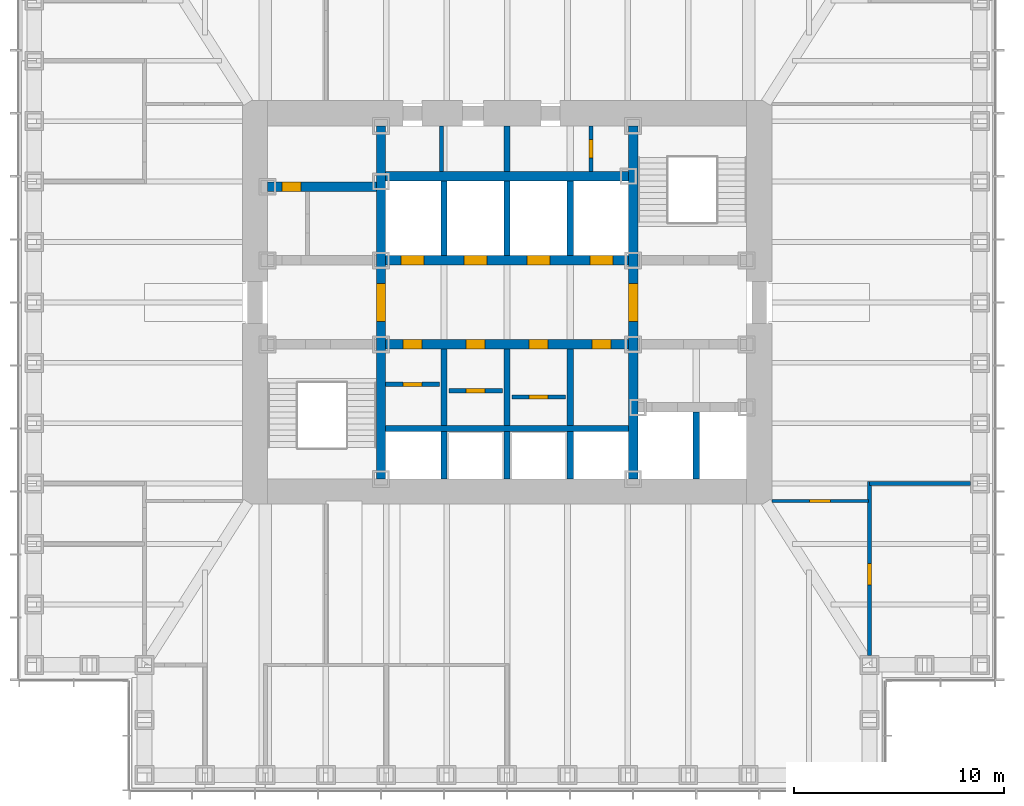
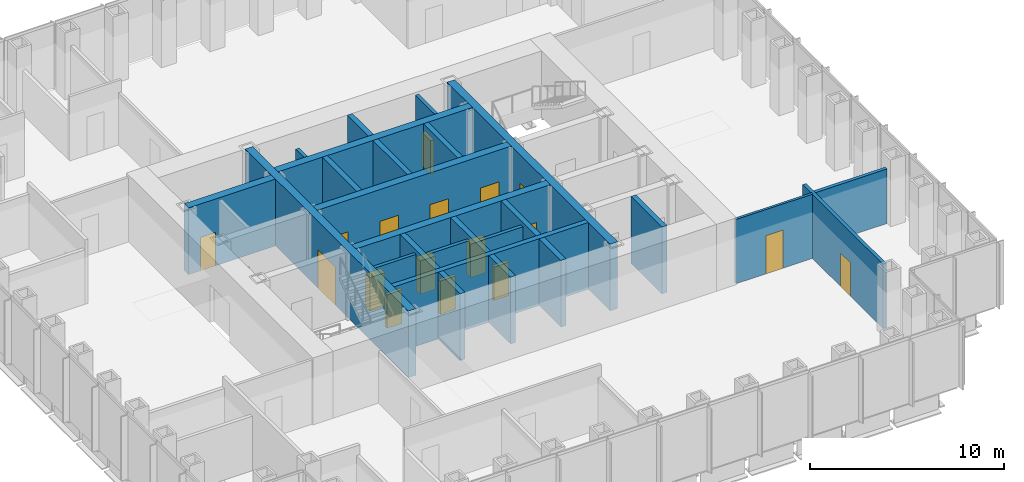
# One storey, part 9 of 17: 26 walls, 17 doors, 17 openings.
"""IFC4 building model written with IfcOpenShell, lengths in metres."""

from ifc_helpers import new_model, si_unit, direction, frame, frame_2d, origin, place, context, subcontext, project, spatial, rectangle, extrude, material, layer, layer_set, type_object, element, fill, save


model = new_model("IFC4")

# Units and contexts
model_context = context("Model", 3, precision=1e-05, world=origin(), true_north=direction((0.0, 1.0)))
body_context = subcontext(model_context, "Body", "Model", "MODEL_VIEW")
ifc_project = project(units=[si_unit("LENGTHUNIT", "METRE"), si_unit("AREAUNIT", "SQUARE_METRE"), si_unit("VOLUMEUNIT", "CUBIC_METRE"), si_unit("PLANEANGLEUNIT", "RADIAN"), si_unit("MASSUNIT", "GRAM", prefix="KILO")], contexts=[model_context])

# Site, building, storey
site_placement = place(None, origin())
site = spatial("IfcSite", under=ifc_project, at=site_placement, CompositionType="ELEMENT")
building_placement = place(site_placement, origin())
building = spatial("IfcBuilding", under=site, at=building_placement, Name="Daluyong Arena Tower", CompositionType="ELEMENT")
storey_placement = place(building_placement, frame((0.0, 0.0, 154.300048828125)))
storey = spatial("IfcBuildingStorey", under=building, at=storey_placement, Name="L34", CompositionType="ELEMENT", Elevation=154.300048828125)

# Wall, opening, door
ifc_material_1 = material(Name="Concrete fc' 45 MPa", Category="concrete")
ifc_layer_1 = layer(ifc_material_1, 0.449951171875)
ifc_layer_set_1 = layer_set([ifc_layer_1], Name="Concrete fc' 45 MPa")
wall_type_1 = type_object("IfcWallType", Name="Core inner wall 450", PredefinedType="SHEAR", material=ifc_layer_set_1)
wall_1_placement = place(storey_placement, frame((50.0, 71.60009765625, 0.0), z_axis=(0.0, 0.0, 1.0), x_axis=(0.0, 1.0, 0.0)))
wall_1 = element("IfcWall", 1, at=wall_1_placement, inside=storey, type_object=wall_type_1, Name="core inner wall at L34", PredefinedType="SHEAR", context=body_context, shape_type="SweptSolid", body=[
    extrude(rectangle(XDim=16.7998046875, YDim=0.449951171875, at=frame_2d((8.39990234375, 0.0))), origin(), (0.0, 0.0, 1.0), 4.199951171875),
])
opening_1_placement = place(wall_1_placement, frame((7.5, 0.0, 0.0)))
opening_1 = element("IfcOpeningElement", 2, at=opening_1_placement, cuts=wall_1, Name="Opening 34019", PredefinedType="OPENING", context=body_context, shape_type="SweptSolid", body=[
    extrude(rectangle(XDim=1.800048828125, YDim=2.39990234375, at=frame_2d((0.89990234375, 1.199951171875))), frame((0.0, 0.23486328125, 0.0), z_axis=(0.0, -1.0, 0.0), x_axis=(1.0, 0.0, 0.0)), (0.0, 0.0, 1.0), 0.469970703125),
])
ifc_material_2 = material(Name="Steel door, fire rated", Category="steel")
door_type_1 = type_object("IfcDoorType", Name="Lift lobby opening door 1800", OperationType="DOUBLE_DOOR_SINGLE_SWING", PredefinedType="DOOR", material=ifc_material_2)
door_1_placement = place(opening_1_placement, origin())
door_1 = element("IfcDoor", 3, at=door_1_placement, inside=storey, type_object=door_type_1, Name="lift lobby door west 34019", OperationType="DOUBLE_DOOR_SINGLE_SWING", OverallHeight=2.39990234375, OverallWidth=1.800048828125, PredefinedType="DOOR", context=body_context, shape_type="SweptSolid", body=[
    extrude(rectangle(XDim=1.800048828125, YDim=2.39990234375, at=frame_2d((0.89990234375, 1.199951171875))), frame((0.0, 0.224609375, 0.0), z_axis=(0.0, -1.0, 0.0), x_axis=(1.0, 0.0, 0.0)), (0.0, 0.0, 1.0), 0.449462890625),
])
fill(opening_1, door_1)

wall_2_placement = place(storey_placement, frame((62.0, 71.60009765625, 0.0), z_axis=(0.0, 0.0, 1.0), x_axis=(0.0, 1.0, 0.0)))
wall_2 = element("IfcWall", 4, at=wall_2_placement, inside=storey, type_object=wall_type_1, Name="core inner wall at L34", PredefinedType="SHEAR", context=body_context, shape_type="SweptSolid", body=[
    extrude(rectangle(XDim=16.7998046875, YDim=0.449951171875, at=frame_2d((8.39990234375, 0.0))), origin(), (0.0, 0.0, 1.0), 4.199951171875),
])
opening_2_placement = place(wall_2_placement, frame((7.5, 0.0, 0.0)))
opening_2 = element("IfcOpeningElement", 5, at=opening_2_placement, cuts=wall_2, Name="Opening 34020", PredefinedType="OPENING", context=body_context, shape_type="SweptSolid", body=[
    extrude(rectangle(XDim=1.800048828125, YDim=2.39990234375, at=frame_2d((0.89990234375, 1.199951171875))), frame((0.0, 0.23486328125, 0.0), z_axis=(0.0, -1.0, 0.0), x_axis=(1.0, 0.0, 0.0)), (0.0, 0.0, 1.0), 0.469970703125),
])
door_2_placement = place(opening_2_placement, origin())
door_2 = element("IfcDoor", 6, at=door_2_placement, inside=storey, type_object=door_type_1, Name="lift lobby door east 34020", OperationType="DOUBLE_DOOR_SINGLE_SWING", OverallHeight=2.39990234375, OverallWidth=1.800048828125, PredefinedType="DOOR", context=body_context, shape_type="SweptSolid", body=[
    extrude(rectangle(XDim=1.800048828125, YDim=2.39990234375, at=frame_2d((0.89990234375, 1.199951171875))), frame((0.0, 0.224609375, 0.0), z_axis=(0.0, -1.0, 0.0), x_axis=(1.0, 0.0, 0.0)), (0.0, 0.0, 1.0), 0.449462890625),
])
fill(opening_2, door_2)

wall_3_placement = place(storey_placement, frame((44.60009765625, 85.5, 0.0), z_axis=(0.0, 0.0, 1.0), x_axis=(1.0, 0.0, 0.0)))
wall_3 = element("IfcWall", 7, at=wall_3_placement, inside=storey, type_object=wall_type_1, Name="core inner wall at L34", PredefinedType="SHEAR", context=body_context, shape_type="SweptSolid", body=[
    extrude(rectangle(XDim=5.1748046875, YDim=0.449951171875, at=frame_2d((2.58740234375, 0.0))), origin(), (0.0, 0.0, 1.0), 4.199951171875),
])
opening_3_placement = place(wall_3_placement, frame((0.699951171875, 0.0, 0.0)))
opening_3 = element("IfcOpeningElement", 8, at=opening_3_placement, cuts=wall_3, Name="Opening 34003", PredefinedType="OPENING", context=body_context, shape_type="SweptSolid", body=[
    extrude(rectangle(XDim=0.89990234375, YDim=2.10009765625, at=frame_2d((0.449951171875, 1.050048828125))), frame((0.0, 0.23486328125, 0.0), z_axis=(0.0, -1.0, 0.0), x_axis=(1.0, 0.0, 0.0)), (0.0, 0.0, 1.0), 0.469970703125),
])
ifc_material_3 = material(Name="Timber door", Category="wood")
door_type_2 = type_object("IfcDoorType", Name="Toilet door 900", OperationType="SINGLE_SWING_RIGHT", PredefinedType="DOOR", material=ifc_material_3)
door_3_placement = place(opening_3_placement, origin())
door_3 = element("IfcDoor", 9, at=door_3_placement, inside=storey, type_object=door_type_2, Name="female toilet door 34003", OperationType="SINGLE_SWING_RIGHT", OverallHeight=2.10009765625, OverallWidth=0.89990234375, PredefinedType="DOOR", context=body_context, shape_type="SweptSolid", body=[
    extrude(rectangle(XDim=0.89990234375, YDim=2.10009765625, at=frame_2d((0.449951171875, 1.050048828125))), frame((0.0, 0.224609375, 0.0), z_axis=(0.0, -1.0, 0.0), x_axis=(1.0, 0.0, 0.0)), (0.0, 0.0, 1.0), 0.449462890625),
])
fill(opening_3, door_3)

# Wall, openings, doors
wall_4_placement = place(storey_placement, frame((50.22509765625, 78.0, 0.0), z_axis=(0.0, 0.0, 1.0), x_axis=(1.0, 0.0, 0.0)))
wall_4 = element("IfcWall", 10, at=wall_4_placement, inside=storey, type_object=wall_type_1, Name="core inner wall at L34", PredefinedType="SHEAR", context=body_context, shape_type="SweptSolid", body=[
    extrude(rectangle(XDim=11.5498046875, YDim=0.449951171875, at=frame_2d((5.77490234375, 0.0))), origin(), (0.0, 0.0, 1.0), 4.199951171875),
])
opening_4_placement = place(wall_4_placement, frame((0.824951171875, 0.0, 0.0)))
opening_4 = element("IfcOpeningElement", 11, at=opening_4_placement, cuts=wall_4, Name="Opening 34008", PredefinedType="OPENING", context=body_context, shape_type="SweptSolid", body=[
    extrude(rectangle(XDim=0.89990234375, YDim=2.10009765625, at=frame_2d((0.449951171875, 1.050048828125))), frame((0.0, 0.23486328125, 0.0), z_axis=(0.0, -1.0, 0.0), x_axis=(1.0, 0.0, 0.0)), (0.0, 0.0, 1.0), 0.469970703125),
])
opening_5_placement = place(wall_4_placement, frame((3.824951171875, 0.0, 0.0)))
opening_5 = element("IfcOpeningElement", 12, at=opening_5_placement, cuts=wall_4, Name="Opening 34010", PredefinedType="OPENING", context=body_context, shape_type="SweptSolid", body=[
    extrude(rectangle(XDim=0.89990234375, YDim=2.10009765625, at=frame_2d((0.449951171875, 1.050048828125))), frame((0.0, 0.23486328125, 0.0), z_axis=(0.0, -1.0, 0.0), x_axis=(1.0, 0.0, 0.0)), (0.0, 0.0, 1.0), 0.469970703125),
])
opening_6_placement = place(wall_4_placement, frame((6.824951171875, 0.0, 0.0)))
opening_6 = element("IfcOpeningElement", 13, at=opening_6_placement, cuts=wall_4, Name="Opening 34012", PredefinedType="OPENING", context=body_context, shape_type="SweptSolid", body=[
    extrude(rectangle(XDim=0.89990234375, YDim=2.10009765625, at=frame_2d((0.449951171875, 1.050048828125))), frame((0.0, 0.23486328125, 0.0), z_axis=(0.0, -1.0, 0.0), x_axis=(1.0, 0.0, 0.0)), (0.0, 0.0, 1.0), 0.469970703125),
])
opening_7_placement = place(wall_4_placement, frame((9.824951171875, 0.0, 0.0)))
opening_7 = element("IfcOpeningElement", 14, at=opening_7_placement, cuts=wall_4, Name="Opening 34014", PredefinedType="OPENING", context=body_context, shape_type="SweptSolid", body=[
    extrude(rectangle(XDim=0.89990234375, YDim=2.10009765625, at=frame_2d((0.449951171875, 1.050048828125))), frame((0.0, 0.23486328125, 0.0), z_axis=(0.0, -1.0, 0.0), x_axis=(1.0, 0.0, 0.0)), (0.0, 0.0, 1.0), 0.469970703125),
])
ifc_material_4 = material(Name="Steel door, fire rated", Category="steel")
door_type_3 = type_object("IfcDoorType", Name="Core room door 900", OperationType="SINGLE_SWING_LEFT", PredefinedType="DOOR", material=ifc_material_4)
door_4_placement = place(opening_7_placement, origin())
door_4 = element("IfcDoor", 15, at=door_4_placement, inside=storey, type_object=door_type_3, Name="staff pantry door 34014", OperationType="SINGLE_SWING_LEFT", OverallHeight=2.10009765625, OverallWidth=0.89990234375, PredefinedType="DOOR", context=body_context, shape_type="SweptSolid", body=[
    extrude(rectangle(XDim=0.89990234375, YDim=2.10009765625, at=frame_2d((0.449951171875, 1.050048828125))), frame((0.0, 0.224609375, 0.0), z_axis=(0.0, -1.0, 0.0), x_axis=(1.0, 0.0, 0.0)), (0.0, 0.0, 1.0), 0.449462890625),
])
fill(opening_7, door_4)
ifc_material_5 = material(Name="Steel door, fire rated", Category="steel")
door_type_4 = type_object("IfcDoorType", Name="Core store door 900", OperationType="SINGLE_SWING_LEFT", PredefinedType="DOOR", material=ifc_material_5)
door_5_placement = place(opening_4_placement, origin())
door_5 = element("IfcDoor", 16, at=door_5_placement, inside=storey, type_object=door_type_4, Name="cleaner's store door 34008", OperationType="SINGLE_SWING_LEFT", OverallHeight=2.10009765625, OverallWidth=0.89990234375, PredefinedType="DOOR", context=body_context, shape_type="SweptSolid", body=[
    extrude(rectangle(XDim=0.89990234375, YDim=2.10009765625, at=frame_2d((0.449951171875, 1.050048828125))), frame((0.0, 0.224609375, 0.0), z_axis=(0.0, -1.0, 0.0), x_axis=(1.0, 0.0, 0.0)), (0.0, 0.0, 1.0), 0.449462890625),
])
fill(opening_4, door_5)
door_6_placement = place(opening_5_placement, origin())
door_6 = element("IfcDoor", 17, at=door_6_placement, inside=storey, type_object=door_type_4, Name="stationery store door 34010", OperationType="SINGLE_SWING_LEFT", OverallHeight=2.10009765625, OverallWidth=0.89990234375, PredefinedType="DOOR", context=body_context, shape_type="SweptSolid", body=[
    extrude(rectangle(XDim=0.89990234375, YDim=2.10009765625, at=frame_2d((0.449951171875, 1.050048828125))), frame((0.0, 0.224609375, 0.0), z_axis=(0.0, -1.0, 0.0), x_axis=(1.0, 0.0, 0.0)), (0.0, 0.0, 1.0), 0.449462890625),
])
fill(opening_5, door_6)
door_7_placement = place(opening_6_placement, origin())
door_7 = element("IfcDoor", 18, at=door_7_placement, inside=storey, type_object=door_type_4, Name="security store door 34012", OperationType="SINGLE_SWING_LEFT", OverallHeight=2.10009765625, OverallWidth=0.89990234375, PredefinedType="DOOR", context=body_context, shape_type="SweptSolid", body=[
    extrude(rectangle(XDim=0.89990234375, YDim=2.10009765625, at=frame_2d((0.449951171875, 1.050048828125))), frame((0.0, 0.224609375, 0.0), z_axis=(0.0, -1.0, 0.0), x_axis=(1.0, 0.0, 0.0)), (0.0, 0.0, 1.0), 0.449462890625),
])
fill(opening_6, door_7)

wall_5_placement = place(storey_placement, frame((50.22509765625, 82.0, 0.0), z_axis=(0.0, 0.0, 1.0), x_axis=(1.0, 0.0, 0.0)))
wall_5 = element("IfcWall", 19, at=wall_5_placement, inside=storey, type_object=wall_type_1, Name="core inner wall at L34", PredefinedType="SHEAR", context=body_context, shape_type="SweptSolid", body=[
    extrude(rectangle(XDim=11.5498046875, YDim=0.449951171875, at=frame_2d((5.77490234375, 0.0))), origin(), (0.0, 0.0, 1.0), 4.199951171875),
])
opening_8_placement = place(wall_5_placement, frame((0.72509765625, 0.0, 0.0)))
opening_8 = element("IfcOpeningElement", 20, at=opening_8_placement, cuts=wall_5, Name="Opening 34022", PredefinedType="OPENING", context=body_context, shape_type="SweptSolid", body=[
    extrude(rectangle(XDim=1.10009765625, YDim=2.199951171875, at=frame_2d((0.550048828125, 1.10009765625))), frame((0.0, 0.23486328125, 0.0), z_axis=(0.0, -1.0, 0.0), x_axis=(1.0, 0.0, 0.0)), (0.0, 0.0, 1.0), 0.469970703125),
])
opening_9_placement = place(wall_5_placement, frame((3.72509765625, 0.0, 0.0)))
opening_9 = element("IfcOpeningElement", 21, at=opening_9_placement, cuts=wall_5, Name="Opening 34023", PredefinedType="OPENING", context=body_context, shape_type="SweptSolid", body=[
    extrude(rectangle(XDim=1.10009765625, YDim=2.199951171875, at=frame_2d((0.550048828125, 1.10009765625))), frame((0.0, 0.23486328125, 0.0), z_axis=(0.0, -1.0, 0.0), x_axis=(1.0, 0.0, 0.0)), (0.0, 0.0, 1.0), 0.469970703125),
])
opening_10_placement = place(wall_5_placement, frame((6.72509765625, 0.0, 0.0)))
opening_10 = element("IfcOpeningElement", 22, at=opening_10_placement, cuts=wall_5, Name="Opening 34024", PredefinedType="OPENING", context=body_context, shape_type="SweptSolid", body=[
    extrude(rectangle(XDim=1.10009765625, YDim=2.199951171875, at=frame_2d((0.550048828125, 1.10009765625))), frame((0.0, 0.23486328125, 0.0), z_axis=(0.0, -1.0, 0.0), x_axis=(1.0, 0.0, 0.0)), (0.0, 0.0, 1.0), 0.469970703125),
])
opening_11_placement = place(wall_5_placement, frame((9.72509765625, 0.0, 0.0)))
opening_11 = element("IfcOpeningElement", 23, at=opening_11_placement, cuts=wall_5, Name="Opening 34025", PredefinedType="OPENING", context=body_context, shape_type="SweptSolid", body=[
    extrude(rectangle(XDim=1.10009765625, YDim=2.199951171875, at=frame_2d((0.550048828125, 1.10009765625))), frame((0.0, 0.23486328125, 0.0), z_axis=(0.0, -1.0, 0.0), x_axis=(1.0, 0.0, 0.0)), (0.0, 0.0, 1.0), 0.469970703125),
])
ifc_material_6 = material(Name="Steel door, fire rated", Category="steel")
door_type_5 = type_object("IfcDoorType", Name="Lift landing door 1100", OperationType="SLIDING_TO_LEFT", PredefinedType="DOOR", material=ifc_material_6)
door_8_placement = place(opening_8_placement, origin())
door_8 = element("IfcDoor", 24, at=door_8_placement, inside=storey, type_object=door_type_5, Name="lift landing door B1 34022", OperationType="SLIDING_TO_LEFT", OverallHeight=2.199951171875, OverallWidth=1.10009765625, PredefinedType="DOOR", context=body_context, shape_type="SweptSolid", body=[
    extrude(rectangle(XDim=1.10009765625, YDim=2.199951171875, at=frame_2d((0.550048828125, 1.10009765625))), frame((0.0, 0.224609375, 0.0), z_axis=(0.0, -1.0, 0.0), x_axis=(1.0, 0.0, 0.0)), (0.0, 0.0, 1.0), 0.449462890625),
])
fill(opening_8, door_8)
door_9_placement = place(opening_9_placement, origin())
door_9 = element("IfcDoor", 25, at=door_9_placement, inside=storey, type_object=door_type_5, Name="lift landing door B2 34023", OperationType="SLIDING_TO_LEFT", OverallHeight=2.199951171875, OverallWidth=1.10009765625, PredefinedType="DOOR", context=body_context, shape_type="SweptSolid", body=[
    extrude(rectangle(XDim=1.10009765625, YDim=2.199951171875, at=frame_2d((0.550048828125, 1.10009765625))), frame((0.0, 0.224609375, 0.0), z_axis=(0.0, -1.0, 0.0), x_axis=(1.0, 0.0, 0.0)), (0.0, 0.0, 1.0), 0.449462890625),
])
fill(opening_9, door_9)
door_10_placement = place(opening_10_placement, origin())
door_10 = element("IfcDoor", 26, at=door_10_placement, inside=storey, type_object=door_type_5, Name="lift landing door B3 34024", OperationType="SLIDING_TO_LEFT", OverallHeight=2.199951171875, OverallWidth=1.10009765625, PredefinedType="DOOR", context=body_context, shape_type="SweptSolid", body=[
    extrude(rectangle(XDim=1.10009765625, YDim=2.199951171875, at=frame_2d((0.550048828125, 1.10009765625))), frame((0.0, 0.224609375, 0.0), z_axis=(0.0, -1.0, 0.0), x_axis=(1.0, 0.0, 0.0)), (0.0, 0.0, 1.0), 0.449462890625),
])
fill(opening_10, door_10)
door_11_placement = place(opening_11_placement, origin())
door_11 = element("IfcDoor", 27, at=door_11_placement, inside=storey, type_object=door_type_5, Name="lift landing door B4 34025", OperationType="SLIDING_TO_LEFT", OverallHeight=2.199951171875, OverallWidth=1.10009765625, PredefinedType="DOOR", context=body_context, shape_type="SweptSolid", body=[
    extrude(rectangle(XDim=1.10009765625, YDim=2.199951171875, at=frame_2d((0.550048828125, 1.10009765625))), frame((0.0, 0.224609375, 0.0), z_axis=(0.0, -1.0, 0.0), x_axis=(1.0, 0.0, 0.0)), (0.0, 0.0, 1.0), 0.449462890625),
])
fill(opening_11, door_11)

# Walls
wall_6_placement = place(storey_placement, frame((50.22509765625, 86.0, 0.0), z_axis=(0.0, 0.0, 1.0), x_axis=(1.0, 0.0, 0.0)))
element("IfcWall", 28, at=wall_6_placement, inside=storey, type_object=wall_type_1, Name="core inner wall at L34", PredefinedType="SHEAR", context=body_context, shape_type="SweptSolid", body=[
    extrude(rectangle(XDim=11.5498046875, YDim=0.449951171875, at=frame_2d((5.77490234375, 0.0))), origin(), (0.0, 0.0, 1.0), 4.199951171875),
])
ifc_material_7 = material(Name="Concrete block partition, fire rated", Category="concrete")
ifc_layer_2 = layer(ifc_material_7, 0.199951171875)
ifc_layer_set_2 = layer_set([ifc_layer_2], Name="Concrete block partition, fire rated")
wall_type_2 = type_object("IfcWallType", Name="Fire-rated partition 200", PredefinedType="PARTITIONING", material=ifc_layer_set_2)
wall_7_placement = place(storey_placement, frame((52.875, 86.22509765625, 0.0), z_axis=(0.0, 0.0, 1.0), x_axis=(0.0, 1.0, 0.0)))
element("IfcWall", 29, at=wall_7_placement, inside=storey, type_object=wall_type_2, Name="core room partition at L34", PredefinedType="PARTITIONING", context=body_context, shape_type="SweptSolid", body=[
    extrude(rectangle(XDim=2.1748046875, YDim=0.199951171875, at=frame_2d((1.08740234375, 0.0))), origin(), (0.0, 0.0, 1.0), 3.139892578125),
])

# Wall, opening, door
wall_8_placement = place(storey_placement, frame((60.0, 86.22509765625, 0.0), z_axis=(0.0, 0.0, 1.0), x_axis=(0.0, 1.0, 0.0)))
wall_8 = element("IfcWall", 30, at=wall_8_placement, inside=storey, type_object=wall_type_2, Name="electrical riser enclosure at L34", PredefinedType="PARTITIONING", context=body_context, shape_type="SweptSolid", body=[
    extrude(rectangle(XDim=2.1748046875, YDim=0.199951171875, at=frame_2d((1.08740234375, 0.0))), origin(), (0.0, 0.0, 1.0), 4.0400390625),
])
opening_12_placement = place(wall_8_placement, frame((0.637451171875, 0.0, 0.0)))
opening_12 = element("IfcOpeningElement", 31, at=opening_12_placement, cuts=wall_8, Name="Opening 34007", PredefinedType="OPENING", context=body_context, shape_type="SweptSolid", body=[
    extrude(rectangle(XDim=0.89990234375, YDim=2.10009765625, at=frame_2d((0.449951171875, 1.050048828125))), frame((0.0, 0.10986328125, 0.0), z_axis=(0.0, -1.0, 0.0), x_axis=(1.0, 0.0, 0.0)), (0.0, 0.0, 1.0), 0.219970703125),
])
ifc_material_8 = material(Name="Steel door, fire rated", Category="steel")
door_type_6 = type_object("IfcDoorType", Name="Riser door 900", OperationType="SINGLE_SWING_LEFT", PredefinedType="DOOR", material=ifc_material_8)
door_12_placement = place(opening_12_placement, origin())
door_12 = element("IfcDoor", 32, at=door_12_placement, inside=storey, type_object=door_type_6, Name="riser door 34007", OperationType="SINGLE_SWING_LEFT", OverallHeight=2.10009765625, OverallWidth=0.89990234375, PredefinedType="DOOR", context=body_context, shape_type="SweptSolid", body=[
    extrude(rectangle(XDim=0.89990234375, YDim=2.10009765625, at=frame_2d((0.449951171875, 1.050048828125))), frame((0.0, 0.099609375, 0.0), z_axis=(0.0, -1.0, 0.0), x_axis=(1.0, 0.0, 0.0)), (0.0, 0.0, 1.0), 0.199462890625),
])
fill(opening_12, door_12)

wall_9_placement = place(storey_placement, frame((50.22509765625, 76.10009765625, 0.0), z_axis=(0.0, 0.0, 1.0), x_axis=(1.0, 0.0, 0.0)))
wall_9 = element("IfcWall", 33, at=wall_9_placement, inside=storey, type_object=wall_type_2, Name="back store partition at L34", PredefinedType="PARTITIONING", context=body_context, shape_type="SweptSolid", body=[
    extrude(rectangle(XDim=2.5498046875, YDim=0.199951171875, at=frame_2d((1.27490234375, 0.0))), origin(), (0.0, 0.0, 1.0), 4.0400390625),
])
opening_13_placement = place(wall_9_placement, frame((0.824951171875, 0.0, 0.0)))
opening_13 = element("IfcOpeningElement", 34, at=opening_13_placement, cuts=wall_9, Name="Opening 34009", PredefinedType="OPENING", context=body_context, shape_type="SweptSolid", body=[
    extrude(rectangle(XDim=0.89990234375, YDim=2.10009765625, at=frame_2d((0.449951171875, 1.050048828125))), frame((0.0, 0.10986328125, 0.0), z_axis=(0.0, -1.0, 0.0), x_axis=(1.0, 0.0, 0.0)), (0.0, 0.0, 1.0), 0.219970703125),
])
door_13_placement = place(opening_13_placement, origin())
door_13 = element("IfcDoor", 35, at=door_13_placement, inside=storey, type_object=door_type_4, Name="furniture store door 34009", OperationType="SINGLE_SWING_LEFT", OverallHeight=2.10009765625, OverallWidth=0.89990234375, PredefinedType="DOOR", context=body_context, shape_type="SweptSolid", body=[
    extrude(rectangle(XDim=0.89990234375, YDim=2.10009765625, at=frame_2d((0.449951171875, 1.050048828125))), frame((0.0, 0.099609375, 0.0), z_axis=(0.0, -1.0, 0.0), x_axis=(1.0, 0.0, 0.0)), (0.0, 0.0, 1.0), 0.199462890625),
])
fill(opening_13, door_13)

wall_10_placement = place(storey_placement, frame((53.22509765625, 75.800048828125, 0.0), z_axis=(0.0, 0.0, 1.0), x_axis=(1.0, 0.0, 0.0)))
wall_10 = element("IfcWall", 36, at=wall_10_placement, inside=storey, type_object=wall_type_2, Name="back store partition at L34", PredefinedType="PARTITIONING", context=body_context, shape_type="SweptSolid", body=[
    extrude(rectangle(XDim=2.5498046875, YDim=0.199951171875, at=frame_2d((1.27490234375, 0.0))), origin(), (0.0, 0.0, 1.0), 4.0400390625),
])
opening_14_placement = place(wall_10_placement, frame((0.824951171875, 0.0, 0.0)))
opening_14 = element("IfcOpeningElement", 37, at=opening_14_placement, cuts=wall_10, Name="Opening 34011", PredefinedType="OPENING", context=body_context, shape_type="SweptSolid", body=[
    extrude(rectangle(XDim=0.89990234375, YDim=2.10009765625, at=frame_2d((0.449951171875, 1.050048828125))), frame((0.0, 0.10986328125, 0.0), z_axis=(0.0, -1.0, 0.0), x_axis=(1.0, 0.0, 0.0)), (0.0, 0.0, 1.0), 0.219970703125),
])
door_14_placement = place(opening_14_placement, origin())
door_14 = element("IfcDoor", 38, at=door_14_placement, inside=storey, type_object=door_type_4, Name="facilities store door 34011", OperationType="SINGLE_SWING_LEFT", OverallHeight=2.10009765625, OverallWidth=0.89990234375, PredefinedType="DOOR", context=body_context, shape_type="SweptSolid", body=[
    extrude(rectangle(XDim=0.89990234375, YDim=2.10009765625, at=frame_2d((0.449951171875, 1.050048828125))), frame((0.0, 0.099609375, 0.0), z_axis=(0.0, -1.0, 0.0), x_axis=(1.0, 0.0, 0.0)), (0.0, 0.0, 1.0), 0.199462890625),
])
fill(opening_14, door_14)

wall_11_placement = place(storey_placement, frame((56.22509765625, 75.5, 0.0), z_axis=(0.0, 0.0, 1.0), x_axis=(1.0, 0.0, 0.0)))
wall_11 = element("IfcWall", 39, at=wall_11_placement, inside=storey, type_object=wall_type_2, Name="back store partition at L34", PredefinedType="PARTITIONING", context=body_context, shape_type="SweptSolid", body=[
    extrude(rectangle(XDim=2.5498046875, YDim=0.199951171875, at=frame_2d((1.27490234375, 0.0))), origin(), (0.0, 0.0, 1.0), 4.0400390625),
])
opening_15_placement = place(wall_11_placement, frame((0.824951171875, 0.0, 0.0)))
opening_15 = element("IfcOpeningElement", 40, at=opening_15_placement, cuts=wall_11, Name="Opening 34013", PredefinedType="OPENING", context=body_context, shape_type="SweptSolid", body=[
    extrude(rectangle(XDim=0.89990234375, YDim=2.10009765625, at=frame_2d((0.449951171875, 1.050048828125))), frame((0.0, 0.10986328125, 0.0), z_axis=(0.0, -1.0, 0.0), x_axis=(1.0, 0.0, 0.0)), (0.0, 0.0, 1.0), 0.219970703125),
])
door_15_placement = place(opening_15_placement, origin())
door_15 = element("IfcDoor", 41, at=door_15_placement, inside=storey, type_object=door_type_4, Name="archive store door 34013", OperationType="SINGLE_SWING_LEFT", OverallHeight=2.10009765625, OverallWidth=0.89990234375, PredefinedType="DOOR", context=body_context, shape_type="SweptSolid", body=[
    extrude(rectangle(XDim=0.89990234375, YDim=2.10009765625, at=frame_2d((0.449951171875, 1.050048828125))), frame((0.0, 0.099609375, 0.0), z_axis=(0.0, -1.0, 0.0), x_axis=(1.0, 0.0, 0.0)), (0.0, 0.0, 1.0), 0.199462890625),
])
fill(opening_15, door_15)

ifc_material_9 = material(Name="Glazed aluminium partition", Category="aluminium")
ifc_layer_3 = layer(ifc_material_9, 0.14990234375)
ifc_layer_set_3 = layer_set([ifc_layer_3], Name="Glazed aluminium partition")
wall_type_3 = type_object("IfcWallType", Name="Glazed partition 150", PredefinedType="PARTITIONING", material=ifc_layer_set_3)
wall_12_placement = place(storey_placement, frame((68.60009765625, 70.550048828125, 0.0), z_axis=(0.0, 0.0, 1.0), x_axis=(1.0, 0.0, 0.0)))
wall_12 = element("IfcWall", 42, at=wall_12_placement, inside=storey, type_object=wall_type_3, Name="glazed partition at L34", PredefinedType="PARTITIONING", context=body_context, shape_type="SweptSolid", body=[
    extrude(rectangle(XDim=4.599853515625, YDim=0.14990234375, at=frame_2d((2.2998046875, 0.0))), origin(), (0.0, 0.0, 1.0), 4.0400390625),
])
opening_16_placement = place(wall_12_placement, frame((1.800048828125, 0.0, 0.0)))
opening_16 = element("IfcOpeningElement", 43, at=opening_16_placement, cuts=wall_12, Name="Opening 34043", PredefinedType="OPENING", context=body_context, shape_type="SweptSolid", body=[
    extrude(rectangle(XDim=1.0, YDim=2.39990234375, at=frame_2d((0.5, 1.199951171875))), frame((0.0, 0.0849609375, 0.0), z_axis=(0.0, -1.0, 0.0), x_axis=(1.0, 0.0, 0.0)), (0.0, 0.0, 1.0), 0.169921875),
])
ifc_material_10 = material(Name="Glazed aluminium door", Category="aluminium")
door_type_7 = type_object("IfcDoorType", Name="Meeting room glazed door 1000", OperationType="SINGLE_SWING_RIGHT", PredefinedType="DOOR", material=ifc_material_10)
door_16_placement = place(opening_16_placement, origin())
door_16 = element("IfcDoor", 44, at=door_16_placement, inside=storey, type_object=door_type_7, Name="team area screen door 34043", OperationType="SINGLE_SWING_RIGHT", OverallHeight=2.39990234375, OverallWidth=1.0, PredefinedType="DOOR", context=body_context, shape_type="SweptSolid", body=[
    extrude(rectangle(XDim=1.0, YDim=2.39990234375, at=frame_2d((0.5, 1.199951171875))), frame((0.0, 0.07470703125, 0.0), z_axis=(0.0, -1.0, 0.0), x_axis=(1.0, 0.0, 0.0)), (0.0, 0.0, 1.0), 0.1494140625),
])
fill(opening_16, door_16)

# Walls
ifc_material_11 = material(Name="Concrete fc' 45 MPa", Category="concrete")
ifc_layer_4 = layer(ifc_material_11, 0.300048828125)
ifc_layer_set_4 = layer_set([ifc_layer_4], Name="Concrete fc' 45 MPa")
wall_type_4 = type_object("IfcWallType", Name="Lift shaft wall 300", PredefinedType="SHEAR", material=ifc_layer_set_4)
wall_13_placement = place(storey_placement, frame((50.22509765625, 74.0, 0.0), z_axis=(0.0, 0.0, 1.0), x_axis=(1.0, 0.0, 0.0)))
element("IfcWall", 45, at=wall_13_placement, inside=storey, type_object=wall_type_4, Name="lift shaft wall at L34", PredefinedType="SHEAR", context=body_context, shape_type="SweptSolid", body=[
    extrude(rectangle(XDim=11.5498046875, YDim=0.300048828125, at=frame_2d((5.77490234375, 0.0))), origin(), (0.0, 0.0, 1.0), 4.199951171875),
])
wall_14_placement = place(storey_placement, frame((53.0, 71.60009765625, 0.0), z_axis=(0.0, 0.0, 1.0), x_axis=(0.0, 1.0, 0.0)))
element("IfcWall", 46, at=wall_14_placement, inside=storey, type_object=wall_type_4, Name="lift shaft wall at L34", PredefinedType="SHEAR", context=body_context, shape_type="SweptSolid", body=[
    extrude(rectangle(XDim=2.25, YDim=0.300048828125, at=frame_2d((1.125, 0.0))), origin(), (0.0, 0.0, 1.0), 4.199951171875),
])
wall_15_placement = place(storey_placement, frame((53.0, 74.14990234375, 0.0), z_axis=(0.0, 0.0, 1.0), x_axis=(0.0, 1.0, 0.0)))
element("IfcWall", 47, at=wall_15_placement, inside=storey, type_object=wall_type_4, Name="lift shaft wall at L34", PredefinedType="SHEAR", context=body_context, shape_type="SweptSolid", body=[
    extrude(rectangle(XDim=3.625, YDim=0.300048828125, at=frame_2d((1.8125, 0.0))), origin(), (0.0, 0.0, 1.0), 4.199951171875),
])
wall_16_placement = place(storey_placement, frame((53.0, 82.22509765625, 0.0), z_axis=(0.0, 0.0, 1.0), x_axis=(0.0, 1.0, 0.0)))
element("IfcWall", 48, at=wall_16_placement, inside=storey, type_object=wall_type_4, Name="lift shaft wall at L34", PredefinedType="SHEAR", context=body_context, shape_type="SweptSolid", body=[
    extrude(rectangle(XDim=3.5498046875, YDim=0.300048828125, at=frame_2d((1.77490234375, 0.0))), origin(), (0.0, 0.0, 1.0), 4.199951171875),
])
wall_17_placement = place(storey_placement, frame((56.0, 71.60009765625, 0.0), z_axis=(0.0, 0.0, 1.0), x_axis=(0.0, 1.0, 0.0)))
element("IfcWall", 49, at=wall_17_placement, inside=storey, type_object=wall_type_4, Name="lift shaft wall at L34", PredefinedType="SHEAR", context=body_context, shape_type="SweptSolid", body=[
    extrude(rectangle(XDim=2.25, YDim=0.300048828125, at=frame_2d((1.125, 0.0))), origin(), (0.0, 0.0, 1.0), 4.199951171875),
])
wall_18_placement = place(storey_placement, frame((56.0, 74.14990234375, 0.0), z_axis=(0.0, 0.0, 1.0), x_axis=(0.0, 1.0, 0.0)))
element("IfcWall", 50, at=wall_18_placement, inside=storey, type_object=wall_type_4, Name="lift shaft wall at L34", PredefinedType="SHEAR", context=body_context, shape_type="SweptSolid", body=[
    extrude(rectangle(XDim=3.625, YDim=0.300048828125, at=frame_2d((1.8125, 0.0))), origin(), (0.0, 0.0, 1.0), 4.199951171875),
])
wall_19_placement = place(storey_placement, frame((56.0, 82.22509765625, 0.0), z_axis=(0.0, 0.0, 1.0), x_axis=(0.0, 1.0, 0.0)))
element("IfcWall", 51, at=wall_19_placement, inside=storey, type_object=wall_type_4, Name="lift shaft wall at L34", PredefinedType="SHEAR", context=body_context, shape_type="SweptSolid", body=[
    extrude(rectangle(XDim=3.5498046875, YDim=0.300048828125, at=frame_2d((1.77490234375, 0.0))), origin(), (0.0, 0.0, 1.0), 4.199951171875),
])
wall_20_placement = place(storey_placement, frame((59.0, 71.60009765625, 0.0), z_axis=(0.0, 0.0, 1.0), x_axis=(0.0, 1.0, 0.0)))
element("IfcWall", 52, at=wall_20_placement, inside=storey, type_object=wall_type_4, Name="lift shaft wall at L34", PredefinedType="SHEAR", context=body_context, shape_type="SweptSolid", body=[
    extrude(rectangle(XDim=2.25, YDim=0.300048828125, at=frame_2d((1.125, 0.0))), origin(), (0.0, 0.0, 1.0), 4.199951171875),
])
wall_21_placement = place(storey_placement, frame((59.0, 74.14990234375, 0.0), z_axis=(0.0, 0.0, 1.0), x_axis=(0.0, 1.0, 0.0)))
element("IfcWall", 53, at=wall_21_placement, inside=storey, type_object=wall_type_4, Name="lift shaft wall at L34", PredefinedType="SHEAR", context=body_context, shape_type="SweptSolid", body=[
    extrude(rectangle(XDim=3.625, YDim=0.300048828125, at=frame_2d((1.8125, 0.0))), origin(), (0.0, 0.0, 1.0), 4.199951171875),
])
wall_22_placement = place(storey_placement, frame((59.0, 82.22509765625, 0.0), z_axis=(0.0, 0.0, 1.0), x_axis=(0.0, 1.0, 0.0)))
element("IfcWall", 54, at=wall_22_placement, inside=storey, type_object=wall_type_4, Name="lift shaft wall at L34", PredefinedType="SHEAR", context=body_context, shape_type="SweptSolid", body=[
    extrude(rectangle(XDim=3.5498046875, YDim=0.300048828125, at=frame_2d((1.77490234375, 0.0))), origin(), (0.0, 0.0, 1.0), 4.199951171875),
])
wall_23_placement = place(storey_placement, frame((65.0, 71.60009765625, 0.0), z_axis=(0.0, 0.0, 1.0), x_axis=(0.0, 1.0, 0.0)))
element("IfcWall", 55, at=wall_23_placement, inside=storey, type_object=wall_type_4, Name="lift shaft wall at L34", PredefinedType="SHEAR", context=body_context, shape_type="SweptSolid", body=[
    extrude(rectangle(XDim=3.1748046875, YDim=0.300048828125, at=frame_2d((1.58740234375, 0.0))), origin(), (0.0, 0.0, 1.0), 4.199951171875),
])
wall_24_placement = place(storey_placement, frame((56.0, 86.22509765625, 0.0), z_axis=(0.0, 0.0, 1.0), x_axis=(0.0, 1.0, 0.0)))
element("IfcWall", 56, at=wall_24_placement, inside=storey, type_object=wall_type_4, Name="lift shaft wall at L34", PredefinedType="SHEAR", context=body_context, shape_type="SweptSolid", body=[
    extrude(rectangle(XDim=2.1748046875, YDim=0.300048828125, at=frame_2d((1.08740234375, 0.0))), origin(), (0.0, 0.0, 1.0), 4.199951171875),
])
ifc_material_12 = material(Name="Concrete block partition", Category="concrete")
ifc_layer_5 = layer(ifc_material_12, 0.199951171875)
ifc_layer_set_5 = layer_set([ifc_layer_5], Name="Concrete block partition")
wall_type_5 = type_object("IfcWallType", Name="Partition 200", PredefinedType="PARTITIONING", material=ifc_layer_set_5)
wall_25_placement = place(storey_placement, frame((73.25, 71.375, 0.0), z_axis=(0.0, 0.0, 1.0), x_axis=(1.0, 0.0, 0.0)))
element("IfcWall", 57, at=wall_25_placement, inside=storey, type_object=wall_type_5, Name="partition at L34", PredefinedType="PARTITIONING", context=body_context, shape_type="SweptSolid", body=[
    extrude(rectangle(XDim=4.800048828125, YDim=0.199951171875, at=frame_2d((2.39990234375, 0.0))), origin(), (0.0, 0.0, 1.0), 3.427734375),
])

# Wall, opening, door
wall_26_placement = place(storey_placement, frame((73.25, 63.199951171875, 0.0), z_axis=(0.0, 0.0, 1.0), x_axis=(0.0, 1.0, 0.0)))
wall_26 = element("IfcWall", 58, at=wall_26_placement, inside=storey, type_object=wall_type_5, Name="partition at L34", PredefinedType="PARTITIONING", context=body_context, shape_type="SweptSolid", body=[
    extrude(rectangle(XDim=8.275146484375, YDim=0.199951171875, at=frame_2d((4.1376953125, 0.0))), origin(), (0.0, 0.0, 1.0), 4.0400390625),
])
opening_17_placement = place(wall_26_placement, frame((3.362548828125, 0.0, 0.0)))
opening_17 = element("IfcOpeningElement", 59, at=opening_17_placement, cuts=wall_26, Name="Opening 34031", PredefinedType="OPENING", context=body_context, shape_type="SweptSolid", body=[
    extrude(rectangle(XDim=1.0, YDim=2.10009765625, at=frame_2d((0.5, 1.050048828125))), frame((0.0, 0.10986328125, 0.0), z_axis=(0.0, -1.0, 0.0), x_axis=(1.0, 0.0, 0.0)), (0.0, 0.0, 1.0), 0.219970703125),
])
ifc_material_13 = material(Name="Timber door", Category="wood")
door_type_8 = type_object("IfcDoorType", Name="Room door 1000", OperationType="SINGLE_SWING_LEFT", PredefinedType="DOOR", material=ifc_material_13)
door_17_placement = place(opening_17_placement, origin())
door_17 = element("IfcDoor", 60, at=door_17_placement, inside=storey, type_object=door_type_8, Name="training room door 34031", OperationType="SINGLE_SWING_LEFT", OverallHeight=2.10009765625, OverallWidth=1.0, PredefinedType="DOOR", context=body_context, shape_type="SweptSolid", body=[
    extrude(rectangle(XDim=1.0, YDim=2.10009765625, at=frame_2d((0.5, 1.050048828125))), frame((0.0, 0.099609375, 0.0), z_axis=(0.0, -1.0, 0.0), x_axis=(1.0, 0.0, 0.0)), (0.0, 0.0, 1.0), 0.199462890625),
])
fill(opening_17, door_17)

save(model, "model.ifc")
